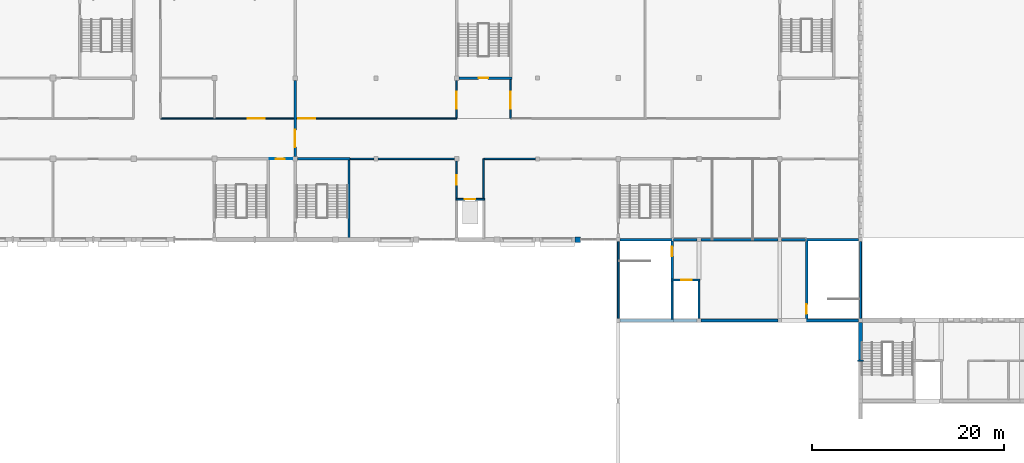
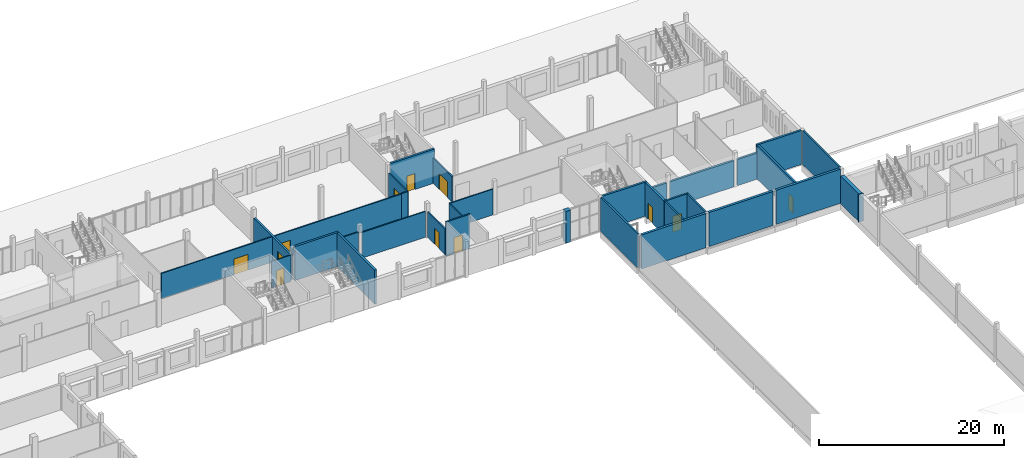
# One storey, part 82 of 101: 33 walls, 12 doors, 12 openings.
"""IFC4 building model written with IfcOpenShell, lengths in metres."""

from ifc_helpers import new_model, si_unit, direction, frame, frame_2d, origin, place, context, subcontext, project, spatial, rectangle, extrude, material, layer, layer_set, type_object, element, fill, save


model = new_model("IFC4")

# Units and contexts
model_context = context("Model", 3, precision=1e-05, world=origin(), true_north=direction((0.0, 1.0)))
body_context = subcontext(model_context, "Body", "Model", "MODEL_VIEW")
ifc_project = project(units=[si_unit("LENGTHUNIT", "METRE"), si_unit("AREAUNIT", "SQUARE_METRE"), si_unit("VOLUMEUNIT", "CUBIC_METRE"), si_unit("PLANEANGLEUNIT", "RADIAN"), si_unit("MASSUNIT", "GRAM", prefix="KILO")], contexts=[model_context])

# Site, building, storey
site_placement = place(None, origin())
site = spatial("IfcSite", under=ifc_project, at=site_placement, CompositionType="ELEMENT")
building_placement = place(site_placement, origin())
building = spatial("IfcBuilding", under=site, at=building_placement, Name="Fescue Hill Polytechnic", CompositionType="ELEMENT")
storey_placement = place(building_placement, frame((0.0, 0.0, 9.0)))
storey = spatial("IfcBuildingStorey", under=building, at=storey_placement, Name="L02", CompositionType="ELEMENT", Elevation=9.0)

# Walls
ifc_material_1 = material(Name="Clay brick masonry", Category="masonry")
ifc_layer_1 = layer(ifc_material_1, 0.550048828125)
ifc_layer_set_1 = layer_set([ifc_layer_1], Name="Clay brick masonry")
wall_type_1 = type_object("IfcWallType", Name="Brick pier 600x550", PredefinedType="SOLIDWALL", material=ifc_layer_set_1)
wall_1_placement = place(storey_placement, frame((87.89990234375, 109.199951171875, 0.0), z_axis=(0.0, 0.0, 1.0), x_axis=(1.0, 0.0, 0.0)))
element("IfcWall", 1, at=wall_1_placement, inside=storey, type_object=wall_type_1, Name="PR-L02-V4b-14", PredefinedType="SOLIDWALL", context=body_context, shape_type="SweptSolid", body=[
    extrude(rectangle(XDim=0.60009765625, YDim=0.550048828125, at=frame_2d((0.300048828125, 0.0))), origin(), (0.0, 0.0, 1.0), 4.199951171875),
])
ifc_material_2 = material(Name="Concrete 40 MPa", Category="concrete")
ifc_layer_2 = layer(ifc_material_2, 0.25)
ifc_layer_set_2 = layer_set([ifc_layer_2], Name="Concrete 40 MPa")
wall_type_2 = type_object("IfcWallType", Name="Core wall 250", PredefinedType="SHEAR", material=ifc_layer_set_2)
wall_2_placement = place(storey_placement, frame((59.02490234375, 117.60009765625, 0.0), z_axis=(0.0, 0.0, 1.0), x_axis=(1.0, 0.0, 0.0)))
element("IfcWall", 2, at=wall_2_placement, inside=storey, type_object=wall_type_2, Name="CW-L02-ST-V4b-1-21", PredefinedType="SHEAR", context=body_context, shape_type="SweptSolid", body=[
    extrude(rectangle(XDim=5.5, YDim=0.25, at=frame_2d((2.75, 0.0))), origin(), (0.0, 0.0, 1.0), 4.5),
])
wall_3_placement = place(storey_placement, frame((64.39990234375, 109.324951171875, 0.0), z_axis=(0.0, 0.0, 1.0), x_axis=(0.0, 1.0, 0.0)))
element("IfcWall", 3, at=wall_3_placement, inside=storey, type_object=wall_type_2, Name="CW-L02-ST-V4b-1-41", PredefinedType="SHEAR", context=body_context, shape_type="SweptSolid", body=[
    extrude(rectangle(XDim=8.150146484375, YDim=0.25, at=frame_2d((4.0751953125, 0.0))), origin(), (0.0, 0.0, 1.0), 4.5),
])
wall_4_placement = place(storey_placement, frame((92.60009765625, 109.199951171875, 0.0), z_axis=(0.0, 0.0, 1.0), x_axis=(1.0, 0.0, 0.0)))
element("IfcWall", 4, at=wall_4_placement, inside=storey, type_object=wall_type_2, Name="CW-L02-ST-V4b-3-11", PredefinedType="SHEAR", context=body_context, shape_type="SweptSolid", body=[
    extrude(rectangle(XDim=5.52490234375, YDim=0.25, at=frame_2d((2.762451171875, 0.0))), origin(), (0.0, 0.0, 1.0), 4.5),
])

# Wall, opening, door
wall_5_placement = place(storey_placement, frame((75.824951171875, 126.0, 0.0), z_axis=(0.0, 0.0, 1.0), x_axis=(1.0, 0.0, 0.0)))
wall_5 = element("IfcWall", 5, at=wall_5_placement, inside=storey, type_object=wall_type_2, Name="CW-L02-ST-V4b-4-11", PredefinedType="SHEAR", context=body_context, shape_type="SweptSolid", body=[
    extrude(rectangle(XDim=5.5, YDim=0.25, at=frame_2d((2.75, 0.0))), origin(), (0.0, 0.0, 1.0), 4.5),
])
opening_1_placement = place(wall_5_placement, frame((2.050048828125, 0.0, 0.0)))
opening_1 = element("IfcOpeningElement", 6, at=opening_1_placement, cuts=wall_5, Name="Opening D2099", PredefinedType="OPENING", context=body_context, shape_type="SweptSolid", body=[
    extrude(rectangle(XDim=1.0, YDim=2.10009765625, at=frame_2d((0.5, 1.050048828125))), frame((0.0, 0.135009765625, 0.0), z_axis=(0.0, -1.0, 0.0), x_axis=(1.0, 0.0, 0.0)), (0.0, 0.0, 1.0), 0.27001953125),
])
ifc_material_3 = material(Name="Steel fire door", Category="steel")
door_type_1 = type_object("IfcDoorType", Name="Door single swing 1000x2100 stair fire rated", OperationType="NOTDEFINED", PredefinedType="DOOR", material=ifc_material_3)
door_1_placement = place(opening_1_placement, origin())
door_1 = element("IfcDoor", 7, at=door_1_placement, inside=storey, type_object=door_type_1, Name="L02 ST-V4b-4 stair door", OperationType="SINGLE_SWING_RIGHT", OverallHeight=2.10009765625, OverallWidth=1.0, PredefinedType="DOOR", context=body_context, shape_type="SweptSolid", body=[
    extrude(rectangle(XDim=1.0, YDim=2.10009765625, at=frame_2d((0.5, 1.050048828125))), frame((0.0, 0.02490234375, 0.0), z_axis=(0.0, -1.0, 0.0), x_axis=(1.0, 0.0, 0.0)), (0.0, 0.0, 1.0), 0.050048828125),
])
fill(opening_1, door_1)

wall_6_placement = place(storey_placement, frame((98.0, 105.010009765625, 0.0), z_axis=(0.0, 0.0, 1.0), x_axis=(0.0, 1.0, 0.0)))
wall_6 = element("IfcWall", 8, at=wall_6_placement, inside=storey, type_object=wall_type_2, Name="CW-L02-ST-V6-1-41", PredefinedType="SHEAR", context=body_context, shape_type="SweptSolid", body=[
    extrude(rectangle(XDim=4.06494140625, YDim=0.25, at=frame_2d((2.032470703125, 0.0))), origin(), (0.0, 0.0, 1.0), 4.5),
])
opening_2_placement = place(wall_6_placement, frame((2.465087890625, 0.0, 0.0)))
opening_2 = element("IfcOpeningElement", 9, at=opening_2_placement, cuts=wall_6, Name="Opening D2100", PredefinedType="OPENING", context=body_context, shape_type="SweptSolid", body=[
    extrude(rectangle(XDim=1.0, YDim=2.10009765625, at=frame_2d((0.5, 1.050048828125))), frame((0.0, 0.135009765625, 0.0), z_axis=(0.0, -1.0, 0.0), x_axis=(1.0, 0.0, 0.0)), (0.0, 0.0, 1.0), 0.27001953125),
])
door_2_placement = place(opening_2_placement, origin())
door_2 = element("IfcDoor", 10, at=door_2_placement, inside=storey, type_object=door_type_1, Name="L02 ST-V6-1 stair door", OperationType="SINGLE_SWING_LEFT", OverallHeight=2.10009765625, OverallWidth=1.0, PredefinedType="DOOR", context=body_context, shape_type="SweptSolid", body=[
    extrude(rectangle(XDim=1.0, YDim=2.10009765625, at=frame_2d((0.5, 1.050048828125))), frame((0.0, 0.02490234375, 0.0), z_axis=(0.0, -1.0, 0.0), x_axis=(1.0, 0.0, 0.0)), (0.0, 0.0, 1.0), 0.050048828125),
])
fill(opening_2, door_2)

# Wall
wall_7_placement = place(storey_placement, frame((111.875, 109.199951171875, 0.0), z_axis=(0.0, 0.0, 1.0), x_axis=(1.0, 0.0, 0.0)))
element("IfcWall", 11, at=wall_7_placement, inside=storey, type_object=wall_type_2, Name="CW-L02-ST-V6-2-21", PredefinedType="SHEAR", context=body_context, shape_type="SweptSolid", body=[
    extrude(rectangle(XDim=5.52490234375, YDim=0.25, at=frame_2d((2.762451171875, 0.0))), origin(), (0.0, 0.0, 1.0), 4.5),
])

# Wall, opening, door
wall_8_placement = place(storey_placement, frame((112.0, 100.925048828125, 0.0), z_axis=(0.0, 0.0, 1.0), x_axis=(0.0, 1.0, 0.0)))
wall_8 = element("IfcWall", 12, at=wall_8_placement, inside=storey, type_object=wall_type_2, Name="CW-L02-ST-V6-2-31", PredefinedType="SHEAR", context=body_context, shape_type="SweptSolid", body=[
    extrude(rectangle(XDim=8.14990234375, YDim=0.25, at=frame_2d((4.074951171875, 0.0))), origin(), (0.0, 0.0, 1.0), 4.5),
])
opening_3_placement = place(wall_8_placement, frame((0.550048828125, 0.0, 0.0)))
opening_3 = element("IfcOpeningElement", 13, at=opening_3_placement, cuts=wall_8, Name="Opening D2101", PredefinedType="OPENING", context=body_context, shape_type="SweptSolid", body=[
    extrude(rectangle(XDim=1.0, YDim=2.10009765625, at=frame_2d((0.5, 1.050048828125))), frame((0.0, 0.135009765625, 0.0), z_axis=(0.0, -1.0, 0.0), x_axis=(1.0, 0.0, 0.0)), (0.0, 0.0, 1.0), 0.27001953125),
])
door_3_placement = place(opening_3_placement, origin())
door_3 = element("IfcDoor", 14, at=door_3_placement, inside=storey, type_object=door_type_1, Name="L02 ST-V6-2 stair door", OperationType="SINGLE_SWING_RIGHT", OverallHeight=2.10009765625, OverallWidth=1.0, PredefinedType="DOOR", context=body_context, shape_type="SweptSolid", body=[
    extrude(rectangle(XDim=1.0, YDim=2.10009765625, at=frame_2d((0.5, 1.050048828125))), frame((0.0, 0.02490234375, 0.0), z_axis=(0.0, -1.0, 0.0), x_axis=(1.0, 0.0, 0.0)), (0.0, 0.0, 1.0), 0.050048828125),
])
fill(opening_3, door_3)

# Walls
ifc_material_4 = material(Name="Gypsum board partition")
ifc_layer_3 = layer(ifc_material_4, 0.14990234375)
ifc_layer_set_3 = layer_set([ifc_layer_3], Name="Gypsum board partition")
wall_type_3 = type_object("IfcWallType", Name="Corridor wall 150 EI 45", PredefinedType="PARTITIONING", material=ifc_layer_set_3)
wall_9_placement = place(storey_placement, frame((64.550048828125, 117.60009765625, 0.0), z_axis=(0.0, 0.0, 1.0), x_axis=(1.0, 0.0, 0.0)))
element("IfcWall", 15, at=wall_9_placement, inside=storey, type_object=wall_type_3, Name="IW-L02-058", PredefinedType="PARTITIONING", context=body_context, shape_type="SweptSolid", body=[
    extrude(rectangle(XDim=2.425048828125, YDim=0.14990234375, at=frame_2d((1.21240234375, 0.0))), origin(), (0.0, 0.0, 1.0), 3.60009765625),
])
wall_10_placement = place(storey_placement, frame((67.425048828125, 117.60009765625, 0.0), z_axis=(0.0, 0.0, 1.0), x_axis=(1.0, 0.0, 0.0)))
element("IfcWall", 16, at=wall_10_placement, inside=storey, type_object=wall_type_3, Name="IW-L02-059", PredefinedType="PARTITIONING", context=body_context, shape_type="SweptSolid", body=[
    extrude(rectangle(XDim=7.949951171875, YDim=0.14990234375, at=frame_2d((3.97509765625, 0.0))), origin(), (0.0, 0.0, 1.0), 3.39990234375),
])
wall_11_placement = place(storey_placement, frame((78.39990234375, 117.60009765625, 0.0), z_axis=(0.0, 0.0, 1.0), x_axis=(1.0, 0.0, 0.0)))
element("IfcWall", 17, at=wall_11_placement, inside=storey, type_object=wall_type_3, Name="IW-L02-060", PredefinedType="PARTITIONING", context=body_context, shape_type="SweptSolid", body=[
    extrude(rectangle(XDim=5.400146484375, YDim=0.14990234375, at=frame_2d((2.7001953125, 0.0))), origin(), (0.0, 0.0, 1.0), 3.39990234375),
])

# Wall, openings, doors
wall_12_placement = place(storey_placement, frame((44.800048828125, 121.800048828125, 0.0), z_axis=(0.0, 0.0, 1.0), x_axis=(1.0, 0.0, 0.0)))
wall_12 = element("IfcWall", 18, at=wall_12_placement, inside=storey, type_object=wall_type_3, Name="IW-L02-068", PredefinedType="PARTITIONING", context=body_context, shape_type="SweptSolid", body=[
    extrude(rectangle(XDim=30.0, YDim=0.14990234375, at=frame_2d((15.0, 0.0))), origin(), (0.0, 0.0, 1.0), 3.35009765625),
])
opening_4_placement = place(wall_12_placement, frame((9.050048828125, 0.0, 0.0)))
opening_4 = element("IfcOpeningElement", 19, at=opening_4_placement, cuts=wall_12, Name="Opening D2061", PredefinedType="OPENING", context=body_context, shape_type="SweptSolid", body=[
    extrude(rectangle(XDim=1.800048828125, YDim=2.10009765625, at=frame_2d((0.89990234375, 1.050048828125))), frame((0.0, 0.0849609375, 0.0), z_axis=(0.0, -1.0, 0.0), x_axis=(1.0, 0.0, 0.0)), (0.0, 0.0, 1.0), 0.169921875),
])
opening_5_placement = place(wall_12_placement, frame((14.300048828125, 0.0, 0.0)))
opening_5 = element("IfcOpeningElement", 20, at=opening_5_placement, cuts=wall_12, Name="Opening D2071", PredefinedType="OPENING", context=body_context, shape_type="SweptSolid", body=[
    extrude(rectangle(XDim=1.800048828125, YDim=2.10009765625, at=frame_2d((0.89990234375, 1.050048828125))), frame((0.0, 0.0849609375, 0.0), z_axis=(0.0, -1.0, 0.0), x_axis=(1.0, 0.0, 0.0)), (0.0, 0.0, 1.0), 0.169921875),
])
ifc_material_5 = material(Name="Timber", Category="wood")
door_type_2 = type_object("IfcDoorType", Name="Door double swing 1800x2100 FD30S", OperationType="DOUBLE_DOOR_SINGLE_SWING", PredefinedType="DOOR", material=ifc_material_5)
door_4_placement = place(opening_4_placement, origin())
door_4 = element("IfcDoor", 21, at=door_4_placement, inside=storey, type_object=door_type_2, Name="Door D2061", OperationType="DOUBLE_DOOR_SINGLE_SWING", OverallHeight=2.10009765625, OverallWidth=1.800048828125, PredefinedType="DOOR", context=body_context, shape_type="SweptSolid", body=[
    extrude(rectangle(XDim=1.800048828125, YDim=2.10009765625, at=frame_2d((0.89990234375, 1.050048828125))), frame((0.0, 0.02490234375, 0.0), z_axis=(0.0, -1.0, 0.0), x_axis=(1.0, 0.0, 0.0)), (0.0, 0.0, 1.0), 0.050048828125),
])
fill(opening_4, door_4)
door_5_placement = place(opening_5_placement, origin())
door_5 = element("IfcDoor", 22, at=door_5_placement, inside=storey, type_object=door_type_2, Name="Door D2071", OperationType="DOUBLE_DOOR_SINGLE_SWING", OverallHeight=2.10009765625, OverallWidth=1.800048828125, PredefinedType="DOOR", context=body_context, shape_type="SweptSolid", body=[
    extrude(rectangle(XDim=1.800048828125, YDim=2.10009765625, at=frame_2d((0.89990234375, 1.050048828125))), frame((0.0, 0.02490234375, 0.0), z_axis=(0.0, -1.0, 0.0), x_axis=(1.0, 0.0, 0.0)), (0.0, 0.0, 1.0), 0.050048828125),
])
fill(opening_5, door_5)

# Wall
wall_13_placement = place(storey_placement, frame((74.800048828125, 121.800048828125, 0.0), z_axis=(0.0, 0.0, 1.0), x_axis=(1.0, 0.0, 0.0)))
element("IfcWall", 23, at=wall_13_placement, inside=storey, type_object=wall_type_3, Name="IW-L02-069", PredefinedType="PARTITIONING", context=body_context, shape_type="SweptSolid", body=[
    extrude(rectangle(XDim=0.800048828125, YDim=0.14990234375, at=frame_2d((0.39990234375, 0.0))), origin(), (0.0, 0.0, 1.0), 3.39990234375),
])

# Wall, opening, door
wall_14_placement = place(storey_placement, frame((75.60009765625, 121.800048828125, 0.0), z_axis=(0.0, 0.0, 1.0), x_axis=(0.0, 1.0, 0.0)))
wall_14 = element("IfcWall", 24, at=wall_14_placement, inside=storey, type_object=wall_type_3, Name="IW-L02-105", PredefinedType="PARTITIONING", context=body_context, shape_type="SweptSolid", body=[
    extrude(rectangle(XDim=3.974853515625, YDim=0.14990234375, at=frame_2d((1.9873046875, 0.0))), origin(), (0.0, 0.0, 1.0), 3.39990234375),
])
opening_6_placement = place(wall_14_placement, frame((1.0, 0.0, 0.0)))
opening_6 = element("IfcOpeningElement", 25, at=opening_6_placement, cuts=wall_14, Name="Opening D2070", PredefinedType="OPENING", context=body_context, shape_type="SweptSolid", body=[
    extrude(rectangle(XDim=1.800048828125, YDim=2.10009765625, at=frame_2d((0.89990234375, 1.050048828125))), frame((0.0, 0.0849609375, 0.0), z_axis=(0.0, -1.0, 0.0), x_axis=(1.0, 0.0, 0.0)), (0.0, 0.0, 1.0), 0.169921875),
])
door_6_placement = place(opening_6_placement, origin())
door_6 = element("IfcDoor", 26, at=door_6_placement, inside=storey, type_object=door_type_2, Name="Door D2070", OperationType="DOUBLE_DOOR_SINGLE_SWING", OverallHeight=2.10009765625, OverallWidth=1.800048828125, PredefinedType="DOOR", context=body_context, shape_type="SweptSolid", body=[
    extrude(rectangle(XDim=1.800048828125, YDim=2.10009765625, at=frame_2d((0.89990234375, 1.050048828125))), frame((0.0, 0.02490234375, 0.0), z_axis=(0.0, -1.0, 0.0), x_axis=(1.0, 0.0, 0.0)), (0.0, 0.0, 1.0), 0.050048828125),
])
fill(opening_6, door_6)

wall_15_placement = place(storey_placement, frame((81.199951171875, 121.800048828125, 0.0), z_axis=(0.0, 0.0, 1.0), x_axis=(0.0, 1.0, 0.0)))
wall_15 = element("IfcWall", 27, at=wall_15_placement, inside=storey, type_object=wall_type_3, Name="IW-L02-108", PredefinedType="PARTITIONING", context=body_context, shape_type="SweptSolid", body=[
    extrude(rectangle(XDim=4.050048828125, YDim=0.14990234375, at=frame_2d((2.02490234375, 0.0))), origin(), (0.0, 0.0, 1.0), 3.39990234375),
])
opening_7_placement = place(wall_15_placement, frame((1.0, 0.0, 0.0)))
opening_7 = element("IfcOpeningElement", 28, at=opening_7_placement, cuts=wall_15, Name="Opening D2072", PredefinedType="OPENING", context=body_context, shape_type="SweptSolid", body=[
    extrude(rectangle(XDim=1.800048828125, YDim=2.10009765625, at=frame_2d((0.89990234375, 1.050048828125))), frame((0.0, 0.0849609375, 0.0), z_axis=(0.0, -1.0, 0.0), x_axis=(1.0, 0.0, 0.0)), (0.0, 0.0, 1.0), 0.169921875),
])
door_7_placement = place(opening_7_placement, origin())
door_7 = element("IfcDoor", 29, at=door_7_placement, inside=storey, type_object=door_type_2, Name="Door D2072", OperationType="DOUBLE_DOOR_SINGLE_SWING", OverallHeight=2.10009765625, OverallWidth=1.800048828125, PredefinedType="DOOR", context=body_context, shape_type="SweptSolid", body=[
    extrude(rectangle(XDim=1.800048828125, YDim=2.10009765625, at=frame_2d((0.89990234375, 1.050048828125))), frame((0.0, 0.02490234375, 0.0), z_axis=(0.0, -1.0, 0.0), x_axis=(1.0, 0.0, 0.0)), (0.0, 0.0, 1.0), 0.050048828125),
])
fill(opening_7, door_7)

# Walls
ifc_layer_4 = layer(ifc_material_2, 0.199951171875)
ifc_layer_set_4 = layer_set([ifc_layer_4], Name="Concrete 40 MPa")
wall_type_4 = type_object("IfcWallType", Name="Entrance core wall concrete 200 load-bearing", PredefinedType="SOLIDWALL", material=ifc_layer_set_4)
for number, where, z_axis, x_axis, name in (
    (30, (117.60009765625, 101.0, 0.0), (0.0, 0.0, 1.0), (0.0, 1.0, 0.0), "EW-L02-V6-1"),
    (31, (92.39990234375, 109.0, 0.0), (0.0, 0.0, 1.0), (0.0, -1.0, 0.0), "EW-L02-V6-2"),
):
    element("IfcWall", number, at=place(storey_placement, frame(where, z_axis=z_axis, x_axis=x_axis)), inside=storey, type_object=wall_type_4, Name=name, PredefinedType="SOLIDWALL", context=body_context, shape_type="SweptSolid", body=[
        extrude(rectangle(XDim=8.0, YDim=0.199951171875, at=frame_2d((4.0, 0.0))), origin(), (0.0, 0.0, 1.0), 4.5),
    ])
ifc_layer_5 = layer(ifc_material_2, 0.449951171875)
ifc_layer_set_5 = layer_set([ifc_layer_5], Name="Concrete 40 MPa")
wall_type_5 = type_object("IfcWallType", Name="Exterior wall board-marked concrete 450 load-bearing", PredefinedType="SOLIDWALL", material=ifc_layer_set_5)
wall_16_placement = place(storey_placement, frame((117.60009765625, 100.60009765625, 0.0), z_axis=(0.0, 0.0, 1.0), x_axis=(0.0, -1.0, 0.0)))
element("IfcWall", 32, at=wall_16_placement, inside=storey, type_object=wall_type_5, Name="EW-L02-V2-1", PredefinedType="SOLIDWALL", context=body_context, shape_type="SweptSolid", body=[
    extrude(rectangle(XDim=3.940185546875, YDim=0.449951171875, at=frame_2d((1.97021484375, 0.0))), origin(), (0.0, 0.0, 1.0), 3.64990234375),
])
ifc_layer_6 = layer(ifc_material_2, 0.300048828125)
ifc_layer_set_6 = layer_set([ifc_layer_6], Name="Concrete 40 MPa")
wall_type_6 = type_object("IfcWallType", Name="Hall wall concrete 300 fire rated", PredefinedType="SOLIDWALL", material=ifc_layer_set_6)
wall_17_placement = place(storey_placement, frame((101.0, 100.800048828125, 0.0), z_axis=(0.0, 0.0, 1.0), x_axis=(1.0, 0.0, 0.0)))
element("IfcWall", 33, at=wall_17_placement, inside=storey, type_object=wall_type_6, Name="EW-L02-V6-4", PredefinedType="SOLIDWALL", context=body_context, shape_type="SweptSolid", body=[
    extrude(rectangle(XDim=8.0, YDim=0.300048828125, at=frame_2d((4.0, 0.0))), origin(), (0.0, 0.0, 1.0), 4.5),
])
ifc_layer_7 = layer(ifc_material_2, 0.300048828125)
ifc_layer_set_7 = layer_set([ifc_layer_7], Name="Concrete 40 MPa")
wall_type_7 = type_object("IfcWallType", Name="Hall wall concrete 300 load-bearing REI 120", PredefinedType="SOLIDWALL", material=ifc_layer_set_7)
for number, where, z_axis, x_axis, name in (
    (34, (92.60009765625, 100.800048828125, 0.0), (0.0, 0.0, 1.0), (1.0, 0.0, 0.0), "EW-L02-V6-3"),
    (35, (109.39990234375, 100.800048828125, 0.0), (0.0, 0.0, 1.0), (1.0, 0.0, 0.0), "EW-L02-V6-5"),
):
    element("IfcWall", number, at=place(storey_placement, frame(where, z_axis=z_axis, x_axis=x_axis)), inside=storey, type_object=wall_type_7, Name=name, PredefinedType="SOLIDWALL", context=body_context, shape_type="SweptSolid", body=[
        extrude(rectangle(XDim=8.0, YDim=0.300048828125, at=frame_2d((4.0, 0.0))), origin(), (0.0, 0.0, 1.0), 4.5),
    ])

# Wall, opening, door
ifc_layer_8 = layer(ifc_material_2, 0.199951171875)
ifc_layer_set_8 = layer_set([ifc_layer_8], Name="Concrete 40 MPa")
wall_type_8 = type_object("IfcWallType", Name="Lift shaft wall 200", PredefinedType="SHEAR", material=ifc_layer_set_8)
wall_18_placement = place(storey_placement, frame((75.5, 113.39990234375, 0.0), z_axis=(0.0, 0.0, 1.0), x_axis=(1.0, 0.0, 0.0)))
wall_18 = element("IfcWall", 36, at=wall_18_placement, inside=storey, type_object=wall_type_8, Name="CW-L02-LF-V4b-1-21", PredefinedType="SHEAR", context=body_context, shape_type="SweptSolid", body=[
    extrude(rectangle(XDim=3.0, YDim=0.199951171875, at=frame_2d((1.5, 0.0))), origin(), (0.0, 0.0, 1.0), 4.5),
])
opening_8_placement = place(wall_18_placement, frame((0.949951171875, 0.0, 0.0)))
opening_8 = element("IfcOpeningElement", 37, at=opening_8_placement, cuts=wall_18, Name="Opening LD8-L02", PredefinedType="OPENING", context=body_context, shape_type="SweptSolid", body=[
    extrude(rectangle(XDim=1.10009765625, YDim=2.10009765625, at=frame_2d((0.550048828125, 1.050048828125))), frame((0.0, 0.10986328125, 0.0), z_axis=(0.0, -1.0, 0.0), x_axis=(1.0, 0.0, 0.0)), (0.0, 0.0, 1.0), 0.219970703125),
])
ifc_material_6 = material(Name="Stainless steel", Category="steel")
door_type_3 = type_object("IfcDoorType", Name="Lift landing door sliding 1100x2100", OperationType="SLIDING_TO_LEFT", PredefinedType="DOOR", material=ifc_material_6)
door_8_placement = place(opening_8_placement, origin())
door_8 = element("IfcDoor", 38, at=door_8_placement, inside=storey, type_object=door_type_3, Name="L02 LF-V4b-1 lift landing door", OperationType="SLIDING_TO_LEFT", OverallHeight=2.10009765625, OverallWidth=1.10009765625, PredefinedType="DOOR", context=body_context, shape_type="SweptSolid", body=[
    extrude(rectangle(XDim=1.10009765625, YDim=2.10009765625, at=frame_2d((0.550048828125, 1.050048828125))), frame((0.0, 0.02490234375, 0.0), z_axis=(0.0, -1.0, 0.0), x_axis=(1.0, 0.0, 0.0)), (0.0, 0.0, 1.0), 0.050048828125),
])
fill(opening_8, door_8)

wall_19_placement = place(storey_placement, frame((97.89990234375, 105.0, 0.0), z_axis=(0.0, 0.0, 1.0), x_axis=(1.0, 0.0, 0.0)))
wall_19 = element("IfcWall", 39, at=wall_19_placement, inside=storey, type_object=wall_type_8, Name="CW-L02-LF-V6-1-21", PredefinedType="SHEAR", context=body_context, shape_type="SweptSolid", body=[
    extrude(rectangle(XDim=3.0, YDim=0.199951171875, at=frame_2d((1.5, 0.0))), origin(), (0.0, 0.0, 1.0), 4.5),
])
opening_9_placement = place(wall_19_placement, frame((1.050048828125, 0.0, 0.0)))
opening_9 = element("IfcOpeningElement", 40, at=opening_9_placement, cuts=wall_19, Name="Opening LD9-L02", PredefinedType="OPENING", context=body_context, shape_type="SweptSolid", body=[
    extrude(rectangle(XDim=1.10009765625, YDim=2.10009765625, at=frame_2d((0.550048828125, 1.050048828125))), frame((0.0, 0.10986328125, 0.0), z_axis=(0.0, -1.0, 0.0), x_axis=(1.0, 0.0, 0.0)), (0.0, 0.0, 1.0), 0.219970703125),
])
door_9_placement = place(opening_9_placement, origin())
door_9 = element("IfcDoor", 41, at=door_9_placement, inside=storey, type_object=door_type_3, Name="L02 LF-V6-1 lift landing door", OperationType="SLIDING_TO_LEFT", OverallHeight=2.10009765625, OverallWidth=1.10009765625, PredefinedType="DOOR", context=body_context, shape_type="SweptSolid", body=[
    extrude(rectangle(XDim=1.10009765625, YDim=2.10009765625, at=frame_2d((0.550048828125, 1.050048828125))), frame((0.0, 0.02490234375, 0.0), z_axis=(0.0, -1.0, 0.0), x_axis=(1.0, 0.0, 0.0)), (0.0, 0.0, 1.0), 0.050048828125),
])
fill(opening_9, door_9)

# Walls
wall_20_placement = place(storey_placement, frame((98.0, 100.89990234375, 0.0), z_axis=(0.0, 0.0, 1.0), x_axis=(0.0, 1.0, 0.0)))
element("IfcWall", 42, at=wall_20_placement, inside=storey, type_object=wall_type_8, Name="CW-L02-LF-V6-1-31", PredefinedType="SHEAR", context=body_context, shape_type="SweptSolid", body=[
    extrude(rectangle(XDim=4.0, YDim=0.199951171875, at=frame_2d((2.0, 0.0))), origin(), (0.0, 0.0, 1.0), 4.5),
])
wall_21_placement = place(storey_placement, frame((100.800048828125, 101.0, 0.0), z_axis=(0.0, 0.0, 1.0), x_axis=(0.0, 1.0, 0.0)))
element("IfcWall", 43, at=wall_21_placement, inside=storey, type_object=wall_type_8, Name="CW-L02-LF-V6-1-41", PredefinedType="SHEAR", context=body_context, shape_type="SweptSolid", body=[
    extrude(rectangle(XDim=3.89990234375, YDim=0.199951171875, at=frame_2d((1.949951171875, 0.0))), origin(), (0.0, 0.0, 1.0), 4.5),
])

# Wall, opening, door
ifc_layer_9 = layer(ifc_material_4, 0.14990234375)
ifc_layer_set_9 = layer_set([ifc_layer_9], Name="Gypsum board partition")
wall_type_9 = type_object("IfcWallType", Name="Lobby wall 150 EI 60", PredefinedType="PARTITIONING", material=ifc_layer_set_9)
wall_22_placement = place(storey_placement, frame((75.60009765625, 113.550048828125, 0.0), z_axis=(0.0, 0.0, 1.0), x_axis=(0.0, 1.0, 0.0)))
wall_22 = element("IfcWall", 44, at=wall_22_placement, inside=storey, type_object=wall_type_9, Name="IW-L02-106", PredefinedType="PARTITIONING", context=body_context, shape_type="SweptSolid", body=[
    extrude(rectangle(XDim=3.824951171875, YDim=0.14990234375, at=frame_2d((1.91259765625, 0.0))), origin(), (0.0, 0.0, 1.0), 3.39990234375),
])
opening_10_placement = place(wall_22_placement, frame((1.35009765625, 0.0, 0.0)))
opening_10 = element("IfcOpeningElement", 45, at=opening_10_placement, cuts=wall_22, Name="Opening D2064", PredefinedType="OPENING", context=body_context, shape_type="SweptSolid", body=[
    extrude(rectangle(XDim=1.0, YDim=2.10009765625, at=frame_2d((0.5, 1.050048828125))), frame((0.0, 0.0849609375, 0.0), z_axis=(0.0, -1.0, 0.0), x_axis=(1.0, 0.0, 0.0)), (0.0, 0.0, 1.0), 0.169921875),
])
ifc_material_7 = material(Name="Steel", Category="steel")
door_type_4 = type_object("IfcDoorType", Name="Door single swing 1000x2100 FD60", OperationType="SINGLE_SWING_LEFT", PredefinedType="DOOR", material=ifc_material_7)
door_10_placement = place(opening_10_placement, origin())
door_10 = element("IfcDoor", 46, at=door_10_placement, inside=storey, type_object=door_type_4, Name="Door D2064", OperationType="SINGLE_SWING_LEFT", OverallHeight=2.10009765625, OverallWidth=1.0, PredefinedType="DOOR", context=body_context, shape_type="SweptSolid", body=[
    extrude(rectangle(XDim=1.0, YDim=2.10009765625, at=frame_2d((0.5, 1.050048828125))), frame((0.0, 0.02490234375, 0.0), z_axis=(0.0, -1.0, 0.0), x_axis=(1.0, 0.0, 0.0)), (0.0, 0.0, 1.0), 0.050048828125),
])
fill(opening_10, door_10)

# Walls
wall_23_placement = place(storey_placement, frame((78.39990234375, 113.550048828125, 0.0), z_axis=(0.0, 0.0, 1.0), x_axis=(0.0, 1.0, 0.0)))
element("IfcWall", 47, at=wall_23_placement, inside=storey, type_object=wall_type_9, Name="IW-L02-107", PredefinedType="PARTITIONING", context=body_context, shape_type="SweptSolid", body=[
    extrude(rectangle(XDim=4.050048828125, YDim=0.14990234375, at=frame_2d((2.02490234375, 0.0))), origin(), (0.0, 0.0, 1.0), 3.39990234375),
])
ifc_material_8 = material(Name="Concrete 35 MPa", Category="concrete")
ifc_layer_10 = layer(ifc_material_8, 0.25)
ifc_layer_set_10 = layer_set([ifc_layer_10], Name="Concrete 35 MPa")
wall_type_10 = type_object("IfcWallType", Name="Party wall 250 concrete EI 120", PredefinedType="SOLIDWALL", material=ifc_layer_set_10)
wall_24_placement = place(storey_placement, frame((98.14990234375, 109.199951171875, 0.0), z_axis=(0.0, 0.0, 1.0), x_axis=(1.0, 0.0, 0.0)))
element("IfcWall", 48, at=wall_24_placement, inside=storey, type_object=wall_type_10, Name="IW-L02-050", PredefinedType="SOLIDWALL", context=body_context, shape_type="SweptSolid", body=[
    extrude(rectangle(XDim=2.4501953125, YDim=0.25, at=frame_2d((1.22509765625, 0.0))), origin(), (0.0, 0.0, 1.0), 3.449951171875),
])
wall_25_placement = place(storey_placement, frame((101.0, 109.199951171875, 0.0), z_axis=(0.0, 0.0, 1.0), x_axis=(1.0, 0.0, 0.0)))
element("IfcWall", 49, at=wall_25_placement, inside=storey, type_object=wall_type_10, Name="IW-L02-051", PredefinedType="SOLIDWALL", context=body_context, shape_type="SweptSolid", body=[
    extrude(rectangle(XDim=8.0, YDim=0.25, at=frame_2d((4.0, 0.0))), origin(), (0.0, 0.0, 1.0), 3.449951171875),
])
wall_26_placement = place(storey_placement, frame((109.39990234375, 109.199951171875, 0.0), z_axis=(0.0, 0.0, 1.0), x_axis=(1.0, 0.0, 0.0)))
element("IfcWall", 50, at=wall_26_placement, inside=storey, type_object=wall_type_10, Name="IW-L02-052", PredefinedType="SOLIDWALL", context=body_context, shape_type="SweptSolid", body=[
    extrude(rectangle(XDim=2.4501953125, YDim=0.25, at=frame_2d((1.22509765625, 0.0))), origin(), (0.0, 0.0, 1.0), 3.449951171875),
])

# Wall, opening, door
wall_27_placement = place(storey_placement, frame((58.800048828125, 117.824951171875, 0.0), z_axis=(0.0, 0.0, 1.0), x_axis=(0.0, 1.0, 0.0)))
wall_27 = element("IfcWall", 51, at=wall_27_placement, inside=storey, type_object=wall_type_10, Name="IW-L02-102", PredefinedType="SOLIDWALL", context=body_context, shape_type="SweptSolid", body=[
    extrude(rectangle(XDim=7.949951171875, YDim=0.25, at=frame_2d((3.97509765625, 0.0))), origin(), (0.0, 0.0, 1.0), 3.35009765625),
])
opening_11_placement = place(wall_27_placement, frame((1.0, 0.0, 0.0)))
opening_11 = element("IfcOpeningElement", 52, at=opening_11_placement, cuts=wall_27, Name="Opening D2049", PredefinedType="OPENING", context=body_context, shape_type="SweptSolid", body=[
    extrude(rectangle(XDim=1.800048828125, YDim=2.10009765625, at=frame_2d((0.89990234375, 1.050048828125))), frame((0.0, 0.135009765625, 0.0), z_axis=(0.0, -1.0, 0.0), x_axis=(1.0, 0.0, 0.0)), (0.0, 0.0, 1.0), 0.27001953125),
])
door_type_5 = type_object("IfcDoorType", Name="Door double swing 1800x2100 FD90", OperationType="DOUBLE_DOOR_SINGLE_SWING", PredefinedType="DOOR", material=ifc_material_7)
door_11_placement = place(opening_11_placement, origin())
door_11 = element("IfcDoor", 53, at=door_11_placement, inside=storey, type_object=door_type_5, Name="Door D2049", OperationType="DOUBLE_DOOR_SINGLE_SWING", OverallHeight=2.10009765625, OverallWidth=1.800048828125, PredefinedType="DOOR", context=body_context, shape_type="SweptSolid", body=[
    extrude(rectangle(XDim=1.800048828125, YDim=2.10009765625, at=frame_2d((0.89990234375, 1.050048828125))), frame((0.0, 0.02490234375, 0.0), z_axis=(0.0, -1.0, 0.0), x_axis=(1.0, 0.0, 0.0)), (0.0, 0.0, 1.0), 0.050048828125),
])
fill(opening_11, door_11)

# Wall
ifc_material_9 = material(Name="Glulam 24f-EX", Category="wood")
ifc_layer_11 = layer(ifc_material_9, 0.60009765625)
ifc_layer_set_11 = layer_set([ifc_layer_11], Name="Glulam 24f-EX")
wall_type_11 = type_object("IfcWallType", Name="Timber fin 120x600", PredefinedType="SOLIDWALL", material=ifc_layer_set_11)
wall_28_placement = place(storey_placement, frame((117.60009765625, 96.659912109375, 0.0), z_axis=(0.0, 0.0, 1.0), x_axis=(0.0, -1.0, 0.0)))
element("IfcWall", 54, at=wall_28_placement, inside=storey, type_object=wall_type_11, Name="PR-L02-V2-1", PredefinedType="SOLIDWALL", context=body_context, shape_type="SweptSolid", body=[
    extrude(rectangle(XDim=0.119873046875, YDim=0.60009765625, at=frame_2d((0.06005859375, 0.0))), origin(), (0.0, 0.0, 1.0), 3.64990234375),
])

# Wall, opening, door
ifc_layer_12 = layer(ifc_material_4, 0.10009765625)
ifc_layer_set_12 = layer_set([ifc_layer_12], Name="Gypsum board partition")
wall_type_12 = type_object("IfcWallType", Name="WC partition 100 moisture resistant", PredefinedType="PARTITIONING", material=ifc_layer_set_12)
wall_29_placement = place(storey_placement, frame((56.14990234375, 117.60009765625, 0.0), z_axis=(0.0, 0.0, 1.0), x_axis=(1.0, 0.0, 0.0)))
wall_29 = element("IfcWall", 55, at=wall_29_placement, inside=storey, type_object=wall_type_12, Name="IW-L02-063", PredefinedType="PARTITIONING", context=body_context, shape_type="SweptSolid", body=[
    extrude(rectangle(XDim=2.425048828125, YDim=0.10009765625, at=frame_2d((1.21240234375, 0.0))), origin(), (0.0, 0.0, 1.0), 3.5),
])
opening_12_placement = place(wall_29_placement, frame((0.64990234375, 0.0, 0.0)))
opening_12 = element("IfcOpeningElement", 56, at=opening_12_placement, cuts=wall_29, Name="Opening D2050", PredefinedType="OPENING", context=body_context, shape_type="SweptSolid", body=[
    extrude(rectangle(XDim=0.89990234375, YDim=2.10009765625, at=frame_2d((0.449951171875, 1.050048828125))), frame((0.0, 0.06005859375, 0.0), z_axis=(0.0, -1.0, 0.0), x_axis=(1.0, 0.0, 0.0)), (0.0, 0.0, 1.0), 0.1201171875),
])
door_type_6 = type_object("IfcDoorType", Name="Door single swing 900x2100 store", OperationType="SINGLE_SWING_LEFT", PredefinedType="DOOR", material=ifc_material_5)
door_12_placement = place(opening_12_placement, origin())
door_12 = element("IfcDoor", 57, at=door_12_placement, inside=storey, type_object=door_type_6, Name="Door D2050", OperationType="SINGLE_SWING_LEFT", OverallHeight=2.10009765625, OverallWidth=0.89990234375, PredefinedType="DOOR", context=body_context, shape_type="SweptSolid", body=[
    extrude(rectangle(XDim=0.89990234375, YDim=2.10009765625, at=frame_2d((0.449951171875, 1.050048828125))), frame((0.0, 0.02490234375, 0.0), z_axis=(0.0, -1.0, 0.0), x_axis=(1.0, 0.0, 0.0)), (0.0, 0.0, 1.0), 0.050048828125),
])
fill(opening_12, door_12)

save(model, "model.ifc")
